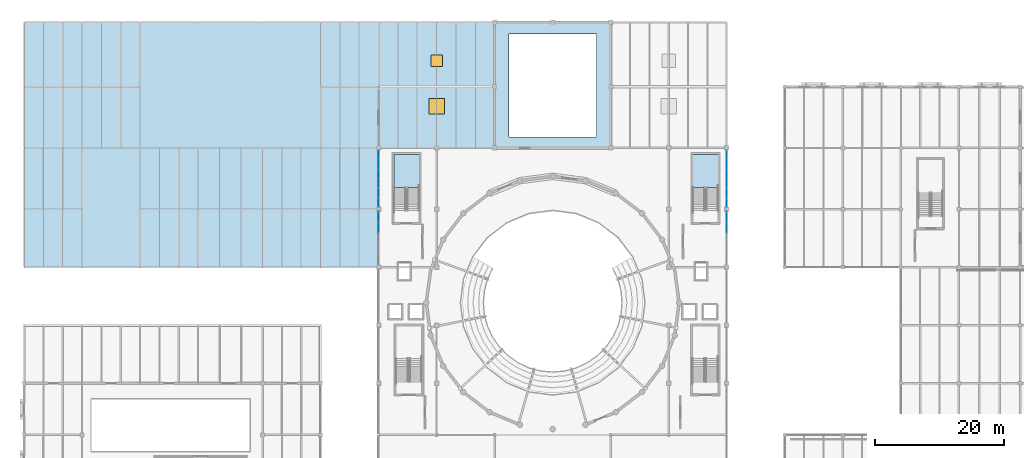
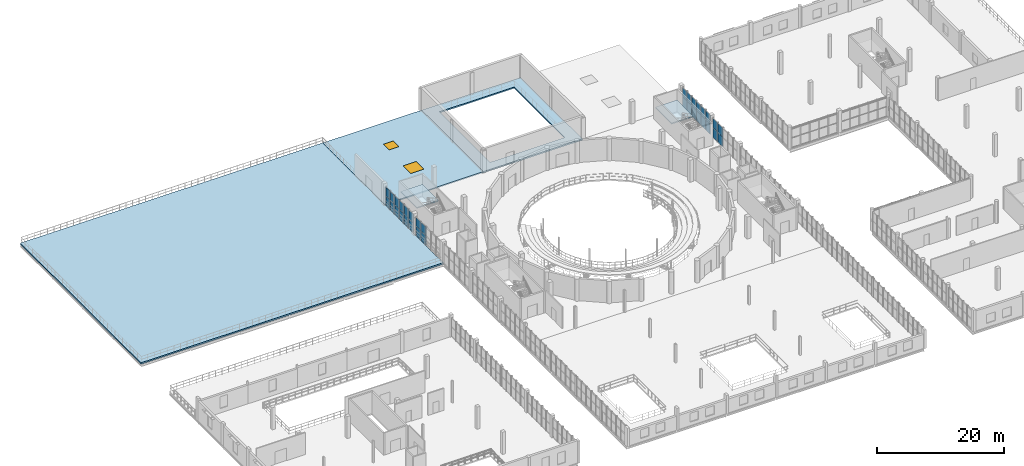
# One storey, part 50 of 73: 32 plates, 5 slabs, 2 windows, 2 openings, 6 elements without a shape of their own.
"""IFC4 building model written with IfcOpenShell, lengths in metres."""

from ifc_helpers import new_model, si_unit, direction, frame, origin, origin_2d, place, context, subcontext, project, spatial, polyline, rectangle, outline, extrude, material, layer, layer_set, type_object, element, fill, aggregate, save


model = new_model("IFC4")

# Units and contexts
model_context = context("Model", 3, precision=1e-05, world=origin(), true_north=direction((0.0, 1.0)))
body_context = subcontext(model_context, "Body", "Model", "MODEL_VIEW")
ifc_project = project(units=[si_unit("LENGTHUNIT", "METRE"), si_unit("AREAUNIT", "SQUARE_METRE"), si_unit("VOLUMEUNIT", "CUBIC_METRE"), si_unit("PLANEANGLEUNIT", "RADIAN"), si_unit("MASSUNIT", "GRAM", prefix="KILO")], contexts=[model_context])

# Site, building, storey
site_placement = place(None, origin())
site = spatial("IfcSite", under=ifc_project, at=site_placement, CompositionType="ELEMENT")
building_placement = place(site_placement, origin())
building = spatial("IfcBuilding", under=site, at=building_placement, Name="Marnock Terrace Opera House", CompositionType="ELEMENT")
storey_placement = place(building_placement, frame((0.0, 0.0, 14.699951171875)))
storey = spatial("IfcBuildingStorey", under=building, at=storey_placement, Name="L03", CompositionType="ELEMENT", Elevation=14.699951171875)

# Curtain wall, plates
ifc_material_1 = material(Name="Anodised architectural bronze aluminium framing", Category="aluminium")
ifc_layer_1 = layer(ifc_material_1, 0.159912109375)
ifc_layer_set_1 = layer_set([ifc_layer_1], Name="Anodised architectural bronze aluminium framing")
curtain_wall_type = type_object("IfcCurtainWallType", Name="CW-FOYER-90x42", PredefinedType="NOTDEFINED", material=ifc_layer_set_1)
curtain_wall_1_placement = place(storey_placement, origin())
curtain_wall_1 = element("IfcCurtainWall", 1, at=curtain_wall_1_placement, inside=storey, type_object=curtain_wall_type, Name="L03 glazed Beaux-Arts colonnade curtain wall CW-V1W-L03-09", PredefinedType="NOTDEFINED")
ifc_material_2 = material(Name="Double-glazed acoustic low-E laminated glass", Category="glass")
ifc_layer_2 = layer(ifc_material_2, 0.028076171875)
ifc_layer_set_2 = layer_set([ifc_layer_2], Name="Double-glazed acoustic low-E laminated glass")
plate_type_1 = type_object("IfcPlateType", Name="CWP-GLZ-28", PredefinedType="CURTAIN_PANEL", material=ifc_layer_set_2)
plate_1_placement = place(storey_placement, frame((55.0, 76.094970703125, 0.06005859375), z_axis=(0.0, 0.0, 1.0), x_axis=(0.0, 1.0, 0.0)))
plate_1 = element("IfcPlate", 2, at=plate_1_placement, type_object=plate_type_1, Name="CW-68 panel 1.1", PredefinedType="CURTAIN_PANEL", context=body_context, shape_type="SweptSolid", body=[
    extrude(rectangle(XDim=1.3779296875, YDim=0.028076171875, at=origin_2d()), origin(), (0.0, 0.0, 1.0), 1.829833984375),
])
plate_2_placement = place(storey_placement, frame((55.0, 76.094970703125, 1.949951171875), z_axis=(0.0, 0.0, 1.0), x_axis=(0.0, 1.0, 0.0)))
plate_2 = element("IfcPlate", 3, at=plate_2_placement, type_object=plate_type_1, Name="CW-68 panel 1.2", PredefinedType="CURTAIN_PANEL", context=body_context, shape_type="SweptSolid", body=[
    extrude(rectangle(XDim=1.3779296875, YDim=0.028076171875, at=origin_2d()), origin(), (0.0, 0.0, 1.0), 1.68212890625),
])
plate_3_placement = place(storey_placement, frame((55.0, 77.548095703125, 0.06005859375), z_axis=(0.0, 0.0, 1.0), x_axis=(0.0, 1.0, 0.0)))
plate_3 = element("IfcPlate", 4, at=plate_3_placement, type_object=plate_type_1, Name="CW-68 panel 2.1", PredefinedType="CURTAIN_PANEL", context=body_context, shape_type="SweptSolid", body=[
    extrude(rectangle(XDim=1.407958984375, YDim=0.028076171875, at=origin_2d()), origin(), (0.0, 0.0, 1.0), 1.829833984375),
])
plate_4_placement = place(storey_placement, frame((55.0, 77.548095703125, 1.949951171875), z_axis=(0.0, 0.0, 1.0), x_axis=(0.0, 1.0, 0.0)))
plate_4 = element("IfcPlate", 5, at=plate_4_placement, type_object=plate_type_1, Name="CW-68 panel 2.2", PredefinedType="CURTAIN_PANEL", context=body_context, shape_type="SweptSolid", body=[
    extrude(rectangle(XDim=1.407958984375, YDim=0.028076171875, at=origin_2d()), origin(), (0.0, 0.0, 1.0), 1.68212890625),
])
plate_5_placement = place(storey_placement, frame((55.0, 79.01611328125, 0.06005859375), z_axis=(0.0, 0.0, 1.0), x_axis=(0.0, 1.0, 0.0)))
plate_5 = element("IfcPlate", 6, at=plate_5_placement, type_object=plate_type_1, Name="CW-68 panel 3.1", PredefinedType="CURTAIN_PANEL", context=body_context, shape_type="SweptSolid", body=[
    extrude(rectangle(XDim=1.407958984375, YDim=0.028076171875, at=origin_2d()), origin(), (0.0, 0.0, 1.0), 1.829833984375),
])
plate_6_placement = place(storey_placement, frame((55.0, 79.01611328125, 1.949951171875), z_axis=(0.0, 0.0, 1.0), x_axis=(0.0, 1.0, 0.0)))
plate_6 = element("IfcPlate", 7, at=plate_6_placement, type_object=plate_type_1, Name="CW-68 panel 3.2", PredefinedType="CURTAIN_PANEL", context=body_context, shape_type="SweptSolid", body=[
    extrude(rectangle(XDim=1.407958984375, YDim=0.028076171875, at=origin_2d()), origin(), (0.0, 0.0, 1.0), 1.68212890625),
])
plate_7_placement = place(storey_placement, frame((55.0, 80.48388671875, 0.06005859375), z_axis=(0.0, 0.0, 1.0), x_axis=(0.0, 1.0, 0.0)))
plate_7 = element("IfcPlate", 8, at=plate_7_placement, type_object=plate_type_1, Name="CW-68 panel 4.1", PredefinedType="CURTAIN_PANEL", context=body_context, shape_type="SweptSolid", body=[
    extrude(rectangle(XDim=1.407958984375, YDim=0.028076171875, at=origin_2d()), origin(), (0.0, 0.0, 1.0), 1.829833984375),
])
plate_8_placement = place(storey_placement, frame((55.0, 80.48388671875, 1.949951171875), z_axis=(0.0, 0.0, 1.0), x_axis=(0.0, 1.0, 0.0)))
plate_8 = element("IfcPlate", 9, at=plate_8_placement, type_object=plate_type_1, Name="CW-68 panel 4.2", PredefinedType="CURTAIN_PANEL", context=body_context, shape_type="SweptSolid", body=[
    extrude(rectangle(XDim=1.407958984375, YDim=0.028076171875, at=origin_2d()), origin(), (0.0, 0.0, 1.0), 1.68212890625),
])
plate_9_placement = place(storey_placement, frame((55.0, 81.951904296875, 0.06005859375), z_axis=(0.0, 0.0, 1.0), x_axis=(0.0, 1.0, 0.0)))
plate_9 = element("IfcPlate", 10, at=plate_9_placement, type_object=plate_type_1, Name="CW-68 panel 5.1", PredefinedType="CURTAIN_PANEL", context=body_context, shape_type="SweptSolid", body=[
    extrude(rectangle(XDim=1.407958984375, YDim=0.028076171875, at=origin_2d()), origin(), (0.0, 0.0, 1.0), 1.829833984375),
])
plate_10_placement = place(storey_placement, frame((55.0, 81.951904296875, 1.949951171875), z_axis=(0.0, 0.0, 1.0), x_axis=(0.0, 1.0, 0.0)))
plate_10 = element("IfcPlate", 11, at=plate_10_placement, type_object=plate_type_1, Name="CW-68 panel 5.2", PredefinedType="CURTAIN_PANEL", context=body_context, shape_type="SweptSolid", body=[
    extrude(rectangle(XDim=1.407958984375, YDim=0.028076171875, at=origin_2d()), origin(), (0.0, 0.0, 1.0), 1.68212890625),
])
plate_11_placement = place(storey_placement, frame((55.0, 83.405029296875, 0.06005859375), z_axis=(0.0, 0.0, 1.0), x_axis=(0.0, 1.0, 0.0)))
plate_11 = element("IfcPlate", 12, at=plate_11_placement, type_object=plate_type_1, Name="CW-68 panel 6.1", PredefinedType="CURTAIN_PANEL", context=body_context, shape_type="SweptSolid", body=[
    extrude(rectangle(XDim=1.3779296875, YDim=0.028076171875, at=origin_2d()), origin(), (0.0, 0.0, 1.0), 1.829833984375),
])
plate_12_placement = place(storey_placement, frame((55.0, 83.405029296875, 1.949951171875), z_axis=(0.0, 0.0, 1.0), x_axis=(0.0, 1.0, 0.0)))
plate_12 = element("IfcPlate", 13, at=plate_12_placement, type_object=plate_type_1, Name="CW-68 panel 6.2", PredefinedType="CURTAIN_PANEL", context=body_context, shape_type="SweptSolid", body=[
    extrude(rectangle(XDim=1.3779296875, YDim=0.028076171875, at=origin_2d()), origin(), (0.0, 0.0, 1.0), 1.68212890625),
])
aggregate(curtain_wall_1, [plate_1, plate_2, plate_3, plate_4, plate_5, plate_6, plate_7, plate_8, plate_9, plate_10, plate_11, plate_12])

curtain_wall_2_placement = place(storey_placement, origin())
curtain_wall_2 = element("IfcCurtainWall", 14, at=curtain_wall_2_placement, inside=storey, type_object=curtain_wall_type, Name="L03 glazed Beaux-Arts colonnade curtain wall CW-V1E-L03-09", PredefinedType="NOTDEFINED")
plate_13_placement = place(storey_placement, frame((109.0, 76.094970703125, 0.06005859375), z_axis=(0.0, 0.0, 1.0), x_axis=(0.0, 1.0, 0.0)))
plate_13 = element("IfcPlate", 15, at=plate_13_placement, type_object=plate_type_1, Name="CW-68 panel 1.1", PredefinedType="CURTAIN_PANEL", context=body_context, shape_type="SweptSolid", body=[
    extrude(rectangle(XDim=1.3779296875, YDim=0.028076171875, at=origin_2d()), origin(), (0.0, 0.0, 1.0), 1.91943359375),
])
plate_14_placement = place(storey_placement, frame((109.0, 76.094970703125, 2.03955078125), z_axis=(0.0, 0.0, 1.0), x_axis=(0.0, 1.0, 0.0)))
plate_14 = element("IfcPlate", 16, at=plate_14_placement, type_object=plate_type_1, Name="CW-68 panel 1.2", PredefinedType="CURTAIN_PANEL", context=body_context, shape_type="SweptSolid", body=[
    extrude(rectangle(XDim=1.3779296875, YDim=0.028076171875, at=origin_2d()), origin(), (0.0, 0.0, 1.0), 1.764892578125),
])
plate_15_placement = place(storey_placement, frame((109.0, 77.548095703125, 0.06005859375), z_axis=(0.0, 0.0, 1.0), x_axis=(0.0, 1.0, 0.0)))
plate_15 = element("IfcPlate", 17, at=plate_15_placement, type_object=plate_type_1, Name="CW-68 panel 2.1", PredefinedType="CURTAIN_PANEL", context=body_context, shape_type="SweptSolid", body=[
    extrude(rectangle(XDim=1.407958984375, YDim=0.028076171875, at=origin_2d()), origin(), (0.0, 0.0, 1.0), 1.91943359375),
])
plate_16_placement = place(storey_placement, frame((109.0, 77.548095703125, 2.03955078125), z_axis=(0.0, 0.0, 1.0), x_axis=(0.0, 1.0, 0.0)))
plate_16 = element("IfcPlate", 18, at=plate_16_placement, type_object=plate_type_1, Name="CW-68 panel 2.2", PredefinedType="CURTAIN_PANEL", context=body_context, shape_type="SweptSolid", body=[
    extrude(rectangle(XDim=1.407958984375, YDim=0.028076171875, at=origin_2d()), origin(), (0.0, 0.0, 1.0), 1.764892578125),
])
plate_17_placement = place(storey_placement, frame((109.0, 79.01611328125, 0.06005859375), z_axis=(0.0, 0.0, 1.0), x_axis=(0.0, 1.0, 0.0)))
plate_17 = element("IfcPlate", 19, at=plate_17_placement, type_object=plate_type_1, Name="CW-68 panel 3.1", PredefinedType="CURTAIN_PANEL", context=body_context, shape_type="SweptSolid", body=[
    extrude(rectangle(XDim=1.407958984375, YDim=0.028076171875, at=origin_2d()), origin(), (0.0, 0.0, 1.0), 1.91943359375),
])
plate_18_placement = place(storey_placement, frame((109.0, 79.01611328125, 2.03955078125), z_axis=(0.0, 0.0, 1.0), x_axis=(0.0, 1.0, 0.0)))
plate_18 = element("IfcPlate", 20, at=plate_18_placement, type_object=plate_type_1, Name="CW-68 panel 3.2", PredefinedType="CURTAIN_PANEL", context=body_context, shape_type="SweptSolid", body=[
    extrude(rectangle(XDim=1.407958984375, YDim=0.028076171875, at=origin_2d()), origin(), (0.0, 0.0, 1.0), 1.764892578125),
])
plate_19_placement = place(storey_placement, frame((109.0, 80.48388671875, 0.06005859375), z_axis=(0.0, 0.0, 1.0), x_axis=(0.0, 1.0, 0.0)))
plate_19 = element("IfcPlate", 21, at=plate_19_placement, type_object=plate_type_1, Name="CW-68 panel 4.1", PredefinedType="CURTAIN_PANEL", context=body_context, shape_type="SweptSolid", body=[
    extrude(rectangle(XDim=1.407958984375, YDim=0.028076171875, at=origin_2d()), origin(), (0.0, 0.0, 1.0), 1.91943359375),
])
plate_20_placement = place(storey_placement, frame((109.0, 80.48388671875, 2.03955078125), z_axis=(0.0, 0.0, 1.0), x_axis=(0.0, 1.0, 0.0)))
plate_20 = element("IfcPlate", 22, at=plate_20_placement, type_object=plate_type_1, Name="CW-68 panel 4.2", PredefinedType="CURTAIN_PANEL", context=body_context, shape_type="SweptSolid", body=[
    extrude(rectangle(XDim=1.407958984375, YDim=0.028076171875, at=origin_2d()), origin(), (0.0, 0.0, 1.0), 1.764892578125),
])
plate_21_placement = place(storey_placement, frame((109.0, 81.951904296875, 0.06005859375), z_axis=(0.0, 0.0, 1.0), x_axis=(0.0, 1.0, 0.0)))
plate_21 = element("IfcPlate", 23, at=plate_21_placement, type_object=plate_type_1, Name="CW-68 panel 5.1", PredefinedType="CURTAIN_PANEL", context=body_context, shape_type="SweptSolid", body=[
    extrude(rectangle(XDim=1.407958984375, YDim=0.028076171875, at=origin_2d()), origin(), (0.0, 0.0, 1.0), 1.91943359375),
])
plate_22_placement = place(storey_placement, frame((109.0, 81.951904296875, 2.03955078125), z_axis=(0.0, 0.0, 1.0), x_axis=(0.0, 1.0, 0.0)))
plate_22 = element("IfcPlate", 24, at=plate_22_placement, type_object=plate_type_1, Name="CW-68 panel 5.2", PredefinedType="CURTAIN_PANEL", context=body_context, shape_type="SweptSolid", body=[
    extrude(rectangle(XDim=1.407958984375, YDim=0.028076171875, at=origin_2d()), origin(), (0.0, 0.0, 1.0), 1.764892578125),
])
plate_23_placement = place(storey_placement, frame((109.0, 83.405029296875, 0.06005859375), z_axis=(0.0, 0.0, 1.0), x_axis=(0.0, 1.0, 0.0)))
plate_23 = element("IfcPlate", 25, at=plate_23_placement, type_object=plate_type_1, Name="CW-68 panel 6.1", PredefinedType="CURTAIN_PANEL", context=body_context, shape_type="SweptSolid", body=[
    extrude(rectangle(XDim=1.3779296875, YDim=0.028076171875, at=origin_2d()), origin(), (0.0, 0.0, 1.0), 1.91943359375),
])
plate_24_placement = place(storey_placement, frame((109.0, 83.405029296875, 2.03955078125), z_axis=(0.0, 0.0, 1.0), x_axis=(0.0, 1.0, 0.0)))
plate_24 = element("IfcPlate", 26, at=plate_24_placement, type_object=plate_type_1, Name="CW-68 panel 6.2", PredefinedType="CURTAIN_PANEL", context=body_context, shape_type="SweptSolid", body=[
    extrude(rectangle(XDim=1.3779296875, YDim=0.028076171875, at=origin_2d()), origin(), (0.0, 0.0, 1.0), 1.764892578125),
])
aggregate(curtain_wall_2, [plate_13, plate_14, plate_15, plate_16, plate_17, plate_18, plate_19, plate_20, plate_21, plate_22, plate_23, plate_24])

curtain_wall_3_placement = place(storey_placement, origin())
curtain_wall_3 = element("IfcCurtainWall", 27, at=curtain_wall_3_placement, inside=storey, type_object=curtain_wall_type, Name="L03 glazed Beaux-Arts colonnade curtain wall CW-V1W-L03-08", PredefinedType="NOTDEFINED")
ifc_layer_3 = layer(ifc_material_1, 0.035888671875)
ifc_layer_set_3 = layer_set([ifc_layer_3], Name="Anodised architectural bronze aluminium framing")
plate_type_2 = type_object("IfcPlateType", Name="CWP-SPAND-36", PredefinedType="CURTAIN_PANEL", material=ifc_layer_set_3)
plate_25_placement = place(storey_placement, frame((55.0, 72.16162109375, 0.06005859375), z_axis=(0.0, 0.0, 1.0), x_axis=(0.0, 1.0, 0.0)))
plate_25 = element("IfcPlate", 28, at=plate_25_placement, type_object=plate_type_2, Name="CW-68 panel 4.1", PredefinedType="CURTAIN_PANEL", context=body_context, shape_type="SweptSolid", body=[
    extrude(rectangle(XDim=1.6015625, YDim=0.028076171875, at=origin_2d()), origin(), (0.0, 0.0, 1.0), 1.79150390625),
])
plate_26_placement = place(storey_placement, frame((55.0, 72.16162109375, 1.91162109375), z_axis=(0.0, 0.0, 1.0), x_axis=(0.0, 1.0, 0.0)))
plate_26 = element("IfcPlate", 29, at=plate_26_placement, type_object=plate_type_2, Name="CW-68 panel 4.2", PredefinedType="CURTAIN_PANEL", context=body_context, shape_type="SweptSolid", body=[
    extrude(rectangle(XDim=1.6015625, YDim=0.028076171875, at=origin_2d()), origin(), (0.0, 0.0, 1.0), 1.646484375),
])
plate_27_placement = place(storey_placement, frame((55.0, 73.80810546875, 0.06005859375), z_axis=(0.0, 0.0, 1.0), x_axis=(0.0, 1.0, 0.0)))
plate_27 = element("IfcPlate", 30, at=plate_27_placement, type_object=plate_type_2, Name="CW-68 panel 5.1", PredefinedType="CURTAIN_PANEL", context=body_context, shape_type="SweptSolid", body=[
    extrude(rectangle(XDim=1.571533203125, YDim=0.028076171875, at=origin_2d()), origin(), (0.0, 0.0, 1.0), 1.79150390625),
])
plate_28_placement = place(storey_placement, frame((55.0, 73.80810546875, 1.91162109375), z_axis=(0.0, 0.0, 1.0), x_axis=(0.0, 1.0, 0.0)))
plate_28 = element("IfcPlate", 31, at=plate_28_placement, type_object=plate_type_2, Name="CW-68 panel 5.2", PredefinedType="CURTAIN_PANEL", context=body_context, shape_type="SweptSolid", body=[
    extrude(rectangle(XDim=1.571533203125, YDim=0.028076171875, at=origin_2d()), origin(), (0.0, 0.0, 1.0), 1.646484375),
])
aggregate(curtain_wall_3, [plate_25, plate_26, plate_27, plate_28])

curtain_wall_4_placement = place(storey_placement, origin())
curtain_wall_4 = element("IfcCurtainWall", 32, at=curtain_wall_4_placement, inside=storey, type_object=curtain_wall_type, Name="L03 glazed Beaux-Arts colonnade curtain wall CW-V1E-L03-08", PredefinedType="NOTDEFINED")
plate_29_placement = place(storey_placement, frame((109.0, 72.16162109375, 0.06005859375), z_axis=(0.0, 0.0, 1.0), x_axis=(0.0, 1.0, 0.0)))
plate_29 = element("IfcPlate", 33, at=plate_29_placement, type_object=plate_type_2, Name="CW-68 panel 4.1", PredefinedType="CURTAIN_PANEL", context=body_context, shape_type="SweptSolid", body=[
    extrude(rectangle(XDim=1.6015625, YDim=0.028076171875, at=origin_2d()), origin(), (0.0, 0.0, 1.0), 1.86669921875),
])
plate_30_placement = place(storey_placement, frame((109.0, 72.16162109375, 1.98681640625), z_axis=(0.0, 0.0, 1.0), x_axis=(0.0, 1.0, 0.0)))
plate_30 = element("IfcPlate", 34, at=plate_30_placement, type_object=plate_type_2, Name="CW-68 panel 4.2", PredefinedType="CURTAIN_PANEL", context=body_context, shape_type="SweptSolid", body=[
    extrude(rectangle(XDim=1.6015625, YDim=0.028076171875, at=origin_2d()), origin(), (0.0, 0.0, 1.0), 1.716064453125),
])
plate_31_placement = place(storey_placement, frame((109.0, 73.80810546875, 0.06005859375), z_axis=(0.0, 0.0, 1.0), x_axis=(0.0, 1.0, 0.0)))
plate_31 = element("IfcPlate", 35, at=plate_31_placement, type_object=plate_type_2, Name="CW-68 panel 5.1", PredefinedType="CURTAIN_PANEL", context=body_context, shape_type="SweptSolid", body=[
    extrude(rectangle(XDim=1.571533203125, YDim=0.028076171875, at=origin_2d()), origin(), (0.0, 0.0, 1.0), 1.86669921875),
])
plate_32_placement = place(storey_placement, frame((109.0, 73.80810546875, 1.98681640625), z_axis=(0.0, 0.0, 1.0), x_axis=(0.0, 1.0, 0.0)))
plate_32 = element("IfcPlate", 36, at=plate_32_placement, type_object=plate_type_2, Name="CW-68 panel 5.2", PredefinedType="CURTAIN_PANEL", context=body_context, shape_type="SweptSolid", body=[
    extrude(rectangle(XDim=1.571533203125, YDim=0.028076171875, at=origin_2d()), origin(), (0.0, 0.0, 1.0), 1.716064453125),
])
aggregate(curtain_wall_4, [plate_29, plate_30, plate_31, plate_32])

# Slab
ifc_material_3 = material(Name="Concrete N40 (f'c = 40 MPa)", Category="concrete")
ifc_layer_4 = layer(ifc_material_3, 0.260009765625)
ifc_layer_set_4 = layer_set([ifc_layer_4], Name="Concrete N40 (f'c = 40 MPa)")
slab_type_1 = type_object("IfcSlabType", Name="SL-FLR-260", PredefinedType="FLOOR", material=ifc_layer_set_4)
slab_1_placement = place(storey_placement, frame((0.0, 0.0, -0.260009765625)))
element("IfcSlab", 37, at=slab_1_placement, inside=storey, type_object=slab_type_1, Name="L03 Stage House structural slab", PredefinedType="FLOOR", context=body_context, shape_type="SweptSolid", body=[
    extrude(outline(polyline([(73.0, 84.5), (91.0, 84.5), (91.0, 104.0), (73.0, 104.0), (73.0, 84.5)]), holes=[polyline([(75.199951171875, 86.199951171875), (88.800048828125, 86.199951171875), (88.800048828125, 102.199951171875), (75.199951171875, 102.199951171875), (75.199951171875, 86.199951171875)])]), origin(), (0.0, 0.0, 1.0), 0.260009765625),
])

# Stair, slab
stair_type = type_object("IfcStairType", Name="ST-TYPE-2400", PredefinedType="HALF_TURN_STAIR", material=ifc_material_3)
stair_1_placement = place(storey_placement, origin())
stair_1 = element("IfcStair", 38, at=stair_1_placement, inside=storey, type_object=stair_type, Name="L03 ST-03", PredefinedType="HALF_TURN_STAIR")
ifc_material_4 = material(Name="Concrete N32 (f'c = 32 MPa)", Category="concrete")
ifc_layer_5 = layer(ifc_material_4, 0.199951171875)
ifc_layer_set_5 = layer_set([ifc_layer_5], Name="Concrete N32 (f'c = 32 MPa)")
slab_type_2 = type_object("IfcSlabType", Name="SL-LAND-200", PredefinedType="LANDING", material=ifc_layer_set_5)
slab_2_placement = place(storey_placement, frame((0.0, 0.0, 2.050048828125)))
slab_2 = element("IfcSlab", 39, at=slab_2_placement, type_object=slab_type_2, Name="ST-03 landing 1", PredefinedType="LANDING", context=body_context, shape_type="SweptSolid", body=[
    extrude(outline(polyline([(61.320068359375, 78.39990234375), (61.320068359375, 83.52001953125), (57.360107421875, 83.52001953125), (57.360107421875, 78.39990234375), (61.320068359375, 78.39990234375)])), origin(), (0.0, 0.0, 1.0), 0.199951171875),
])
aggregate(stair_1, [slab_2])

stair_2_placement = place(storey_placement, origin())
stair_2 = element("IfcStair", 40, at=stair_2_placement, inside=storey, type_object=stair_type, Name="L03 ST-04", PredefinedType="HALF_TURN_STAIR")
slab_3_placement = place(storey_placement, frame((0.0, 0.0, 2.050048828125)))
slab_3 = element("IfcSlab", 41, at=slab_3_placement, type_object=slab_type_2, Name="ST-04 landing 1", PredefinedType="LANDING", context=body_context, shape_type="SweptSolid", body=[
    extrude(outline(polyline([(107.679931640625, 78.39990234375), (107.679931640625, 83.52001953125), (103.719970703125, 83.52001953125), (103.719970703125, 78.39990234375), (107.679931640625, 78.39990234375)])), origin(), (0.0, 0.0, 1.0), 0.199951171875),
])
aggregate(stair_2, [slab_3])

# Slab, openings, windows
ifc_layer_6 = layer(ifc_material_3, 0.219970703125)
ifc_layer_set_6 = layer_set([ifc_layer_6], Name="Concrete N40 (f'c = 40 MPa)")
slab_type_3 = type_object("IfcSlabType", Name="SL-ROOF-220", PredefinedType="ROOF", material=ifc_layer_set_6)
slab_4_placement = place(storey_placement, frame((0.0, 0.0, -0.219970703125)))
slab_4 = element("IfcSlab", 42, at=slab_4_placement, inside=storey, type_object=slab_type_3, Name="L03 structural roof slab SL-ROOF-SIDESTAGE-W", PredefinedType="ROOF", context=body_context, shape_type="SweptSolid", body=[
    extrude(outline(polyline([(55.0, 84.5), (73.0, 84.5), (73.0, 104.0), (55.0, 104.0), (55.0, 84.5)])), origin(), (0.0, 0.0, 1.0), 0.219970703125),
])
opening_1_placement = place(slab_4_placement, frame((64.0, 91.0, 0.0)))
opening_1 = element("IfcOpeningElement", 43, at=opening_1_placement, cuts=slab_4, Name="Opening WT-62", PredefinedType="OPENING", context=body_context, shape_type="SweptSolid", body=[
    extrude(rectangle(XDim=2.39990234375, YDim=2.39990234375, at=origin_2d()), frame((0.0, 0.0, -0.010009765625)), (0.0, 0.0, 1.0), 0.239990234375),
])
opening_2_placement = place(slab_4_placement, frame((64.0, 98.0, 0.0)))
opening_2 = element("IfcOpeningElement", 44, at=opening_2_placement, cuts=slab_4, Name="Opening WT-145", PredefinedType="OPENING", context=body_context, shape_type="SweptSolid", body=[
    extrude(rectangle(XDim=1.800048828125, YDim=1.800048828125, at=origin_2d()), frame((0.0, 0.0, -0.010009765625)), (0.0, 0.0, 1.0), 0.239990234375),
])
window_type_1 = type_object("IfcWindowType", Name="WT-DOME-1800", PartitioningType="SINGLE_PANEL", PredefinedType="LIGHTDOME", material=ifc_material_2)
window_1_placement = place(opening_2_placement, frame((0.0, 0.0, 0.169921875)))
window_1 = element("IfcWindow", 45, at=window_1_placement, inside=storey, type_object=window_type_1, Name="Stage smoke lightdome LDM-SSW-02", OverallHeight=1.800048828125, OverallWidth=1.800048828125, PartitioningType="SINGLE_PANEL", PredefinedType="LIGHTDOME", context=body_context, shape_type="SweptSolid", body=[
    extrude(rectangle(XDim=1.800048828125, YDim=1.800048828125, at=origin_2d()), origin(), (0.0, 0.0, 1.0), 0.050048828125),
])
fill(opening_2, window_1)
window_type_2 = type_object("IfcWindowType", Name="WT-DOME-2400", PartitioningType="SINGLE_PANEL", PredefinedType="LIGHTDOME", material=ifc_material_2)
window_2_placement = place(opening_1_placement, frame((0.0, 0.0, 0.169921875)))
window_2 = element("IfcWindow", 46, at=window_2_placement, inside=storey, type_object=window_type_2, Name="Stage smoke lightdome LDM-SSW-01", OverallHeight=2.39990234375, OverallWidth=2.39990234375, PartitioningType="SINGLE_PANEL", PredefinedType="LIGHTDOME", context=body_context, shape_type="SweptSolid", body=[
    extrude(rectangle(XDim=2.39990234375, YDim=2.39990234375, at=origin_2d()), origin(), (0.0, 0.0, 1.0), 0.050048828125),
])
fill(opening_1, window_2)

# Slab
ifc_layer_7 = layer(ifc_material_3, 0.27001953125)
ifc_layer_set_7 = layer_set([ifc_layer_7], Name="Concrete N40 (f'c = 40 MPa)")
slab_type_4 = type_object("IfcSlabType", Name="SL-TERR-270", PredefinedType="ROOF", material=ifc_layer_set_7)
slab_5_placement = place(storey_placement, frame((0.0, 0.0, -0.27001953125)))
element("IfcSlab", 47, at=slab_5_placement, inside=storey, type_object=slab_type_4, Name="planted roof garden terrace slab SL-TERR-L03-V4", PredefinedType="ROOF", context=body_context, shape_type="SweptSolid", body=[
    extrude(outline(polyline([(0.0, 66.0), (55.0, 66.0), (55.0, 104.0), (0.0, 104.0), (0.0, 66.0)])), origin(), (0.0, 0.0, 1.0), 0.27001953125),
])

save(model, "model.ifc")
